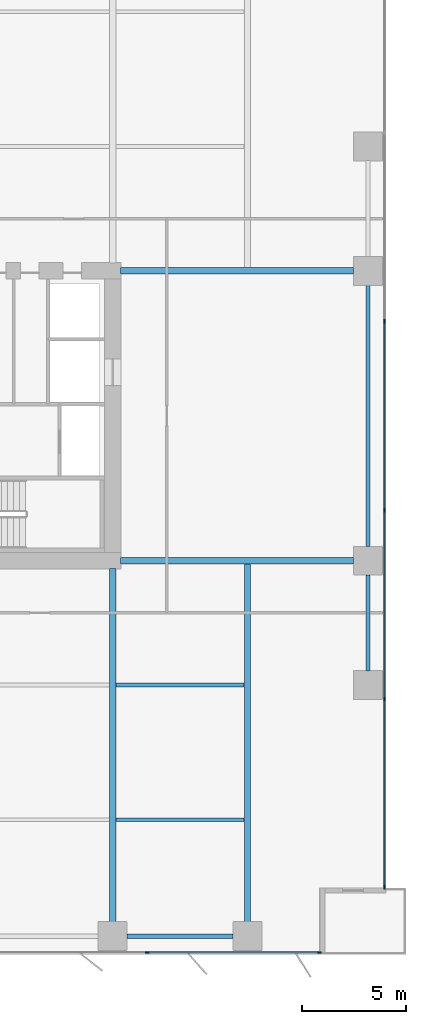
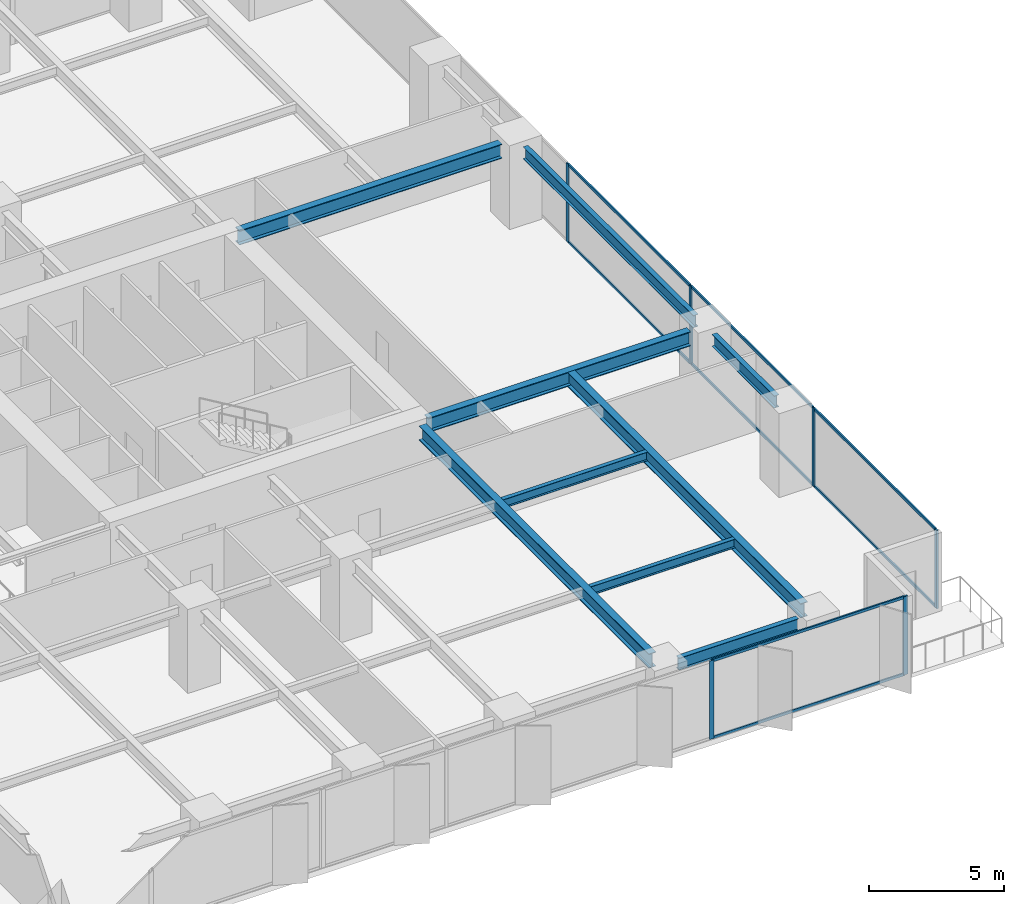
# One storey, part 10 of 20: 14 members, 9 beams, 2 elements without a shape of their own.
"""IFC4 building model written with IfcOpenShell, lengths in metres."""

from ifc_helpers import new_model, si_unit, direction, frame, origin, origin_2d, place, context, subcontext, project, spatial, rectangle, i_section, extrude, material, layer, layer_set, material_profile, profile_set, type_object, element, aggregate, save


model = new_model("IFC4")

# Units and contexts
model_context = context("Model", 3, precision=1e-05, world=origin(), true_north=direction((0.0, 1.0)))
body_context = subcontext(model_context, "Body", "Model", "MODEL_VIEW")
ifc_project = project(units=[si_unit("LENGTHUNIT", "METRE"), si_unit("AREAUNIT", "SQUARE_METRE"), si_unit("VOLUMEUNIT", "CUBIC_METRE"), si_unit("PLANEANGLEUNIT", "RADIAN"), si_unit("MASSUNIT", "GRAM", prefix="KILO")], contexts=[model_context])

# Site, building, storey
site_placement = place(None, origin())
site = spatial("IfcSite", under=ifc_project, at=site_placement, CompositionType="ELEMENT")
building_placement = place(site_placement, origin())
building = spatial("IfcBuilding", under=site, at=building_placement, Name="Putna Gate Headquarters", CompositionType="ELEMENT")
storey_placement = place(building_placement, frame((0.0, 0.0, 46.800048828125)))
storey = spatial("IfcBuildingStorey", under=building, at=storey_placement, Name="L10", CompositionType="ELEMENT", Elevation=46.800048828125)

# Beams
ifc_material_1 = material(Name="Steel S355J2", Category="steel")
ifc_material_profile_1 = material_profile(ifc_material_1, i_section(OverallWidth=0.300048828125, OverallDepth=0.64990234375, WebThickness=0.01611328125, FlangeThickness=0.031005859375, at=origin_2d()), Name="Steel S355J2")
ifc_profile_set_1 = profile_set([ifc_material_profile_1], Name="Steel S355J2")
beam_type_1 = type_object("IfcBeamType", Name="BM-GIRD-Z1-HEB650", PredefinedType="USERDEFINED", material=ifc_profile_set_1)
for number, where, z_axis, x_axis, name in (
    (1, (65.385009765625, 19.0, 3.224853515625), (1.0, 0.0, 0.0), (0.0, 1.0, 0.0), "L10 East Wing Girder Y19"),
    (2, (65.385009765625, 33.0, 3.224853515625), (1.0, 0.0, 0.0), (0.0, 1.0, 0.0), "L10 East Wing Girder Y33"),
):
    element("IfcBeam", number, at=place(storey_placement, frame(where, z_axis=z_axis, x_axis=x_axis)), inside=storey, type_object=beam_type_1, Name=name, ObjectType="GIRDER", PredefinedType="USERDEFINED", context=body_context, shape_type="SweptSolid", body=[
        extrude(i_section(OverallWidth=0.300048828125, OverallDepth=0.64990234375, WebThickness=0.01611328125, FlangeThickness=0.031005859375, at=origin_2d()), origin(), (0.0, 0.0, 1.0), 11.2470703125),
    ])
beam_1_placement = place(storey_placement, frame((65.0, 1.568115234375, 3.224853515625), z_axis=(0.0, 1.0, 0.0), x_axis=(-1.0, 0.0, 0.0)))
element("IfcBeam", 3, at=beam_1_placement, inside=storey, type_object=beam_type_1, Name="L10 South Primary Girder X65", ObjectType="GIRDER", PredefinedType="USERDEFINED", context=body_context, shape_type="SweptSolid", body=[
    extrude(i_section(OverallWidth=0.300048828125, OverallDepth=0.64990234375, WebThickness=0.01611328125, FlangeThickness=0.031005859375, at=origin_2d()), origin(), (0.0, 0.0, 1.0), 17.046875),
])
beam_2_placement = place(storey_placement, frame((71.5, 1.568115234375, 3.224853515625), z_axis=(0.0, 1.0, 0.0), x_axis=(-1.0, 0.0, 0.0)))
element("IfcBeam", 4, at=beam_2_placement, inside=storey, type_object=beam_type_1, Name="L10 South Primary Girder X71", ObjectType="GIRDER", PredefinedType="USERDEFINED", context=body_context, shape_type="SweptSolid", body=[
    extrude(i_section(OverallWidth=0.300048828125, OverallDepth=0.64990234375, WebThickness=0.01611328125, FlangeThickness=0.031005859375, at=origin_2d()), origin(), (0.0, 0.0, 1.0), 17.419921875),
])
ifc_material_profile_2 = material_profile(ifc_material_1, i_section(OverallWidth=0.179931640625, OverallDepth=0.39990234375, WebThickness=0.008544921875, FlangeThickness=0.013427734375, at=origin_2d()), Name="Steel S355J2")
ifc_profile_set_2 = profile_set([ifc_material_profile_2], Name="Steel S355J2")
beam_type_2 = type_object("IfcBeamType", Name="BM-SEC-Z1-IPE400", PredefinedType="BEAM", material=ifc_profile_set_2)
for number, where, z_axis, x_axis, name in (
    (5, (65.154052734375, 6.5, 3.349853515625), (1.0, 0.0, 0.0), (0.0, 1.0, 0.0), "L10 South Secondary Beam 10"),
    (6, (65.154052734375, 13.0, 3.349853515625), (1.0, 0.0, 0.0), (0.0, 1.0, 0.0), "L10 South Secondary Beam 10"),
):
    element("IfcBeam", number, at=place(storey_placement, frame(where, z_axis=z_axis, x_axis=x_axis)), inside=storey, type_object=beam_type_2, Name=name, PredefinedType="BEAM", context=body_context, shape_type="SweptSolid", body=[
        extrude(i_section(OverallWidth=0.179931640625, OverallDepth=0.39990234375, WebThickness=0.008544921875, FlangeThickness=0.013427734375, at=origin_2d()), origin(), (0.0, 0.0, 1.0), 6.19189453125),
    ])
ifc_material_profile_3 = material_profile(ifc_material_1, i_section(OverallWidth=0.2099609375, OverallDepth=0.550048828125, WebThickness=0.010986328125, FlangeThickness=0.01708984375, at=origin_2d()), Name="Steel S355J2")
ifc_profile_set_3 = profile_set([ifc_material_profile_3], Name="Steel S355J2")
beam_type_3 = type_object("IfcBeamType", Name="BM-SPAN-Z1-IPE550", PredefinedType="SPANDREL", material=ifc_profile_set_3)
beam_3_placement = place(storey_placement, frame((65.68798828125, 0.8798828125, 3.27490234375), z_axis=(1.0, 0.0, 0.0), x_axis=(0.0, 1.0, 0.0)))
element("IfcBeam", 7, at=beam_3_placement, inside=storey, type_object=beam_type_3, Name="L10 S Perimeter Spandrel 10", PredefinedType="SPANDREL", context=body_context, shape_type="SweptSolid", body=[
    extrude(i_section(OverallWidth=0.2099609375, OverallDepth=0.550048828125, WebThickness=0.010986328125, FlangeThickness=0.01708984375, at=origin_2d()), origin(), (0.0, 0.0, 1.0), 5.1240234375),
])
beam_4_placement = place(storey_placement, frame((77.320068359375, 13.68798828125, 3.27490234375), z_axis=(0.0, 1.0, 0.0), x_axis=(-1.0, 0.0, 0.0)))
element("IfcBeam", 8, at=beam_4_placement, inside=storey, type_object=beam_type_3, Name="L10 E End Spandrel 1", PredefinedType="SPANDREL", context=body_context, shape_type="SweptSolid", body=[
    extrude(i_section(OverallWidth=0.2099609375, OverallDepth=0.550048828125, WebThickness=0.010986328125, FlangeThickness=0.01708984375, at=origin_2d()), origin(), (0.0, 0.0, 1.0), 4.6240234375),
])
beam_5_placement = place(storey_placement, frame((77.320068359375, 19.68798828125, 3.27490234375), z_axis=(0.0, 1.0, 0.0), x_axis=(-1.0, 0.0, 0.0)))
element("IfcBeam", 9, at=beam_5_placement, inside=storey, type_object=beam_type_3, Name="L10 E End Spandrel 2", PredefinedType="SPANDREL", context=body_context, shape_type="SweptSolid", body=[
    extrude(i_section(OverallWidth=0.2099609375, OverallDepth=0.550048828125, WebThickness=0.010986328125, FlangeThickness=0.01708984375, at=origin_2d()), origin(), (0.0, 0.0, 1.0), 12.6240234375),
])

# Curtain wall, members
ifc_material_2 = material(Name="Anodised bronze aluminium curtain wall", Category="aluminium")
ifc_layer = layer(ifc_material_2, 0.179931640625)
ifc_layer_set = layer_set([ifc_layer], Name="Anodised bronze aluminium curtain wall")
curtain_wall_type = type_object("IfcCurtainWallType", Name="CW-SYS-Z1", PredefinedType="USERDEFINED", material=ifc_layer_set)
curtain_wall_1_placement = place(storey_placement, origin())
curtain_wall_1 = element("IfcCurtainWall", 10, at=curtain_wall_1_placement, inside=storey, type_object=curtain_wall_type, Name="L10 South East Curtain Wall", ObjectType="STICK CURTAIN WALL", PredefinedType="USERDEFINED")
ifc_material_3 = material(Name="Anodised bronze aluminium EN AW-6060", Category="aluminium")
ifc_material_profile_4 = material_profile(ifc_material_3, rectangle(XDim=0.070068359375, YDim=0.179931640625, at=origin_2d()), Name="Anodised bronze aluminium EN AW-6060")
ifc_profile_set_4 = profile_set([ifc_material_profile_4], Name="Anodised bronze aluminium EN AW-6060")
member_type_1 = type_object("IfcMemberType", Name="MULL-CWM-1", PredefinedType="MULLION", material=ifc_profile_set_4)
member_1_placement = place(storey_placement, frame((66.666748046875, 0.080078125, 0.0), z_axis=(0.0, 0.0, 1.0), x_axis=(0.0, 1.0, 0.0)))
member_1 = element("IfcMember", 11, at=member_1_placement, type_object=member_type_1, Name="CWS-1 mullion 3", PredefinedType="MULLION", context=body_context, shape_type="SweptSolid", body=[
    extrude(rectangle(XDim=0.070068359375, YDim=0.179931640625, at=origin_2d()), origin(), (0.0, 0.0, 1.0), 3.550048828125),
])
member_2_placement = place(storey_placement, frame((74.965087890625, 0.080078125, 0.0), z_axis=(0.0, 0.0, 1.0), x_axis=(0.0, 1.0, 0.0)))
member_2 = element("IfcMember", 12, at=member_2_placement, type_object=member_type_1, Name="CWS-1 mullion 4", PredefinedType="MULLION", context=body_context, shape_type="SweptSolid", body=[
    extrude(rectangle(XDim=0.070068359375, YDim=0.179931640625, at=origin_2d()), origin(), (0.0, 0.0, 1.0), 3.550048828125),
])

curtain_wall_2_placement = place(storey_placement, origin())
curtain_wall_2 = element("IfcCurtainWall", 13, at=curtain_wall_2_placement, inside=storey, type_object=curtain_wall_type, Name="L10 East Curtain Wall", ObjectType="STICK CURTAIN WALL", PredefinedType="USERDEFINED")
member_3_placement = place(storey_placement, frame((78.1201171875, 3.235107421875, 0.0), z_axis=(0.0, 0.0, 1.0), x_axis=(-1.0, 0.0, 0.0)))
member_3 = element("IfcMember", 14, at=member_3_placement, type_object=member_type_1, Name="CWS-1 mullion 1", PredefinedType="MULLION", context=body_context, shape_type="SweptSolid", body=[
    extrude(rectangle(XDim=0.070068359375, YDim=0.179931640625, at=origin_2d()), origin(), (0.0, 0.0, 1.0), 3.550048828125),
])
member_4_placement = place(storey_placement, frame((78.1201171875, 12.320068359375, 0.0), z_axis=(0.0, 0.0, 1.0), x_axis=(-1.0, 0.0, 0.0)))
member_4 = element("IfcMember", 15, at=member_4_placement, type_object=member_type_1, Name="CWS-1 mullion 2", PredefinedType="MULLION", context=body_context, shape_type="SweptSolid", body=[
    extrude(rectangle(XDim=0.070068359375, YDim=0.179931640625, at=origin_2d()), origin(), (0.0, 0.0, 1.0), 3.550048828125),
])
member_5_placement = place(storey_placement, frame((78.1201171875, 21.43994140625, 0.0), z_axis=(0.0, 0.0, 1.0), x_axis=(-1.0, 0.0, 0.0)))
member_5 = element("IfcMember", 16, at=member_5_placement, type_object=member_type_1, Name="CWS-1 mullion 3", PredefinedType="MULLION", context=body_context, shape_type="SweptSolid", body=[
    extrude(rectangle(XDim=0.070068359375, YDim=0.179931640625, at=origin_2d()), origin(), (0.0, 0.0, 1.0), 3.550048828125),
])
member_6_placement = place(storey_placement, frame((78.1201171875, 30.56005859375, 0.0), z_axis=(0.0, 0.0, 1.0), x_axis=(-1.0, 0.0, 0.0)))
member_6 = element("IfcMember", 17, at=member_6_placement, type_object=member_type_1, Name="CWS-1 mullion 4", PredefinedType="MULLION", context=body_context, shape_type="SweptSolid", body=[
    extrude(rectangle(XDim=0.070068359375, YDim=0.179931640625, at=origin_2d()), origin(), (0.0, 0.0, 1.0), 3.550048828125),
])

# Member
ifc_material_profile_5 = material_profile(ifc_material_3, rectangle(XDim=0.06494140625, YDim=0.1201171875, at=origin_2d()), Name="Anodised bronze aluminium EN AW-6060")
ifc_profile_set_5 = profile_set([ifc_material_profile_5], Name="Anodised bronze aluminium EN AW-6060")
member_type_2 = type_object("IfcMemberType", Name="TRAN-CWT-1", PredefinedType="USERDEFINED", material=ifc_profile_set_5)
member_7_placement = place(storey_placement, frame((66.70166015625, 0.080078125, 0.032470703125), z_axis=(1.0, 0.0, 0.0), x_axis=(0.0, 1.0, 0.0)))
member_7 = element("IfcMember", 18, at=member_7_placement, type_object=member_type_2, Name="CWS-1 transom 3.1", ObjectType="TRANSOM", PredefinedType="USERDEFINED", context=body_context, shape_type="SweptSolid", body=[
    extrude(rectangle(XDim=0.06494140625, YDim=0.1201171875, at=origin_2d()), origin(), (0.0, 0.0, 1.0), 8.228271484375),
])

member_8_placement = place(storey_placement, frame((66.70166015625, 0.080078125, 3.517333984375), z_axis=(1.0, 0.0, 0.0), x_axis=(0.0, 1.0, 0.0)))
member_8 = element("IfcMember", 19, at=member_8_placement, type_object=member_type_2, Name="CWS-1 transom 3.2", ObjectType="TRANSOM", PredefinedType="USERDEFINED", context=body_context, shape_type="SweptSolid", body=[
    extrude(rectangle(XDim=0.06494140625, YDim=0.1201171875, at=origin_2d()), origin(), (0.0, 0.0, 1.0), 8.228271484375),
])

aggregate(curtain_wall_1, [member_1, member_2, member_7, member_8])

member_9_placement = place(storey_placement, frame((78.1201171875, 3.27001953125, 0.032470703125), z_axis=(0.0, 1.0, 0.0), x_axis=(-1.0, 0.0, 0.0)))
member_9 = element("IfcMember", 20, at=member_9_placement, type_object=member_type_2, Name="CWS-1 transom 1.1", ObjectType="TRANSOM", PredefinedType="USERDEFINED", context=body_context, shape_type="SweptSolid", body=[
    extrude(rectangle(XDim=0.06494140625, YDim=0.1201171875, at=origin_2d()), origin(), (0.0, 0.0, 1.0), 9.014892578125),
])

member_10_placement = place(storey_placement, frame((78.1201171875, 3.27001953125, 3.517333984375), z_axis=(0.0, 1.0, 0.0), x_axis=(-1.0, 0.0, 0.0)))
member_10 = element("IfcMember", 21, at=member_10_placement, type_object=member_type_2, Name="CWS-1 transom 1.2", ObjectType="TRANSOM", PredefinedType="USERDEFINED", context=body_context, shape_type="SweptSolid", body=[
    extrude(rectangle(XDim=0.06494140625, YDim=0.1201171875, at=origin_2d()), origin(), (0.0, 0.0, 1.0), 9.014892578125),
])

member_11_placement = place(storey_placement, frame((78.1201171875, 12.35498046875, 0.032470703125), z_axis=(0.0, 1.0, 0.0), x_axis=(-1.0, 0.0, 0.0)))
member_11 = element("IfcMember", 22, at=member_11_placement, type_object=member_type_2, Name="CWS-1 transom 2.1", ObjectType="TRANSOM", PredefinedType="USERDEFINED", context=body_context, shape_type="SweptSolid", body=[
    extrude(rectangle(XDim=0.06494140625, YDim=0.1201171875, at=origin_2d()), origin(), (0.0, 0.0, 1.0), 9.050048828125),
])

member_12_placement = place(storey_placement, frame((78.1201171875, 12.35498046875, 3.517333984375), z_axis=(0.0, 1.0, 0.0), x_axis=(-1.0, 0.0, 0.0)))
member_12 = element("IfcMember", 23, at=member_12_placement, type_object=member_type_2, Name="CWS-1 transom 2.2", ObjectType="TRANSOM", PredefinedType="USERDEFINED", context=body_context, shape_type="SweptSolid", body=[
    extrude(rectangle(XDim=0.06494140625, YDim=0.1201171875, at=origin_2d()), origin(), (0.0, 0.0, 1.0), 9.050048828125),
])

member_13_placement = place(storey_placement, frame((78.1201171875, 21.47509765625, 0.032470703125), z_axis=(0.0, 1.0, 0.0), x_axis=(-1.0, 0.0, 0.0)))
member_13 = element("IfcMember", 24, at=member_13_placement, type_object=member_type_2, Name="CWS-1 transom 3.1", ObjectType="TRANSOM", PredefinedType="USERDEFINED", context=body_context, shape_type="SweptSolid", body=[
    extrude(rectangle(XDim=0.06494140625, YDim=0.1201171875, at=origin_2d()), origin(), (0.0, 0.0, 1.0), 9.0498046875),
])

member_14_placement = place(storey_placement, frame((78.1201171875, 21.47509765625, 3.517333984375), z_axis=(0.0, 1.0, 0.0), x_axis=(-1.0, 0.0, 0.0)))
member_14 = element("IfcMember", 25, at=member_14_placement, type_object=member_type_2, Name="CWS-1 transom 3.2", ObjectType="TRANSOM", PredefinedType="USERDEFINED", context=body_context, shape_type="SweptSolid", body=[
    extrude(rectangle(XDim=0.06494140625, YDim=0.1201171875, at=origin_2d()), origin(), (0.0, 0.0, 1.0), 9.0498046875),
])

aggregate(curtain_wall_2, [member_3, member_4, member_5, member_6, member_9, member_10, member_11, member_12, member_13, member_14])

save(model, "model.ifc")
